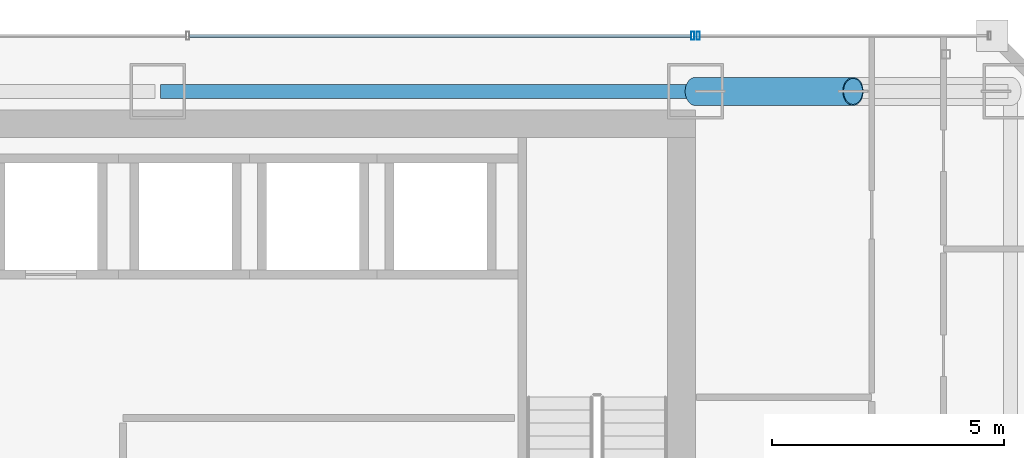
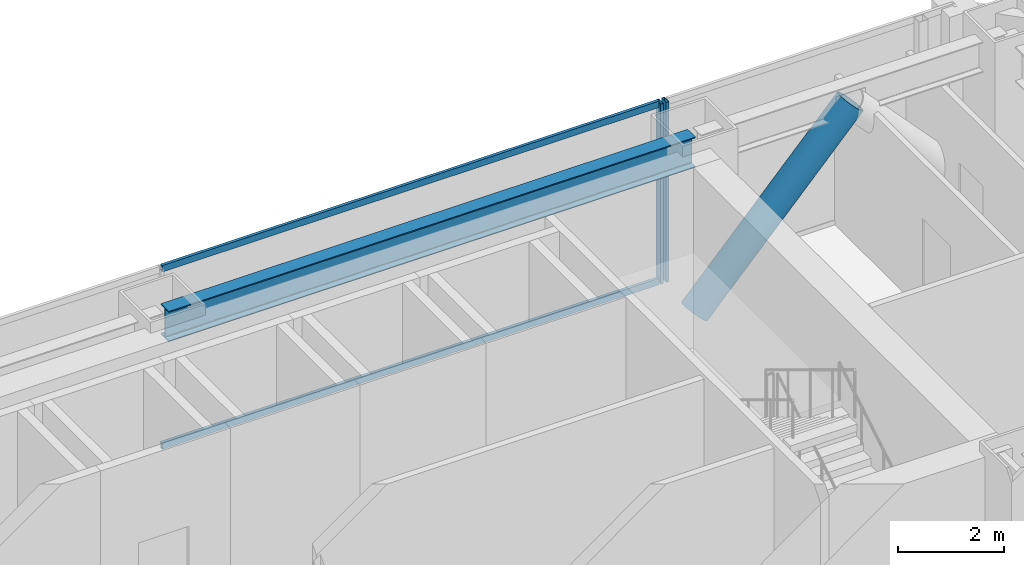
# One storey, part 32 of 47: 5 members, 1 beam, 2 elements without a shape of their own.
"""IFC4 building model written with IfcOpenShell, lengths in metres."""

from ifc_helpers import new_model, si_unit, direction, frame, origin, origin_2d, place, context, subcontext, project, spatial, hollow_rectangle, hollow_circle, i_section, extrude, material, material_profile, profile_set, type_object, element, aggregate, save


model = new_model("IFC4")

# Units and contexts
model_context = context("Model", 3, precision=1e-05, world=origin(), true_north=direction((0.0, 1.0)))
body_context = subcontext(model_context, "Body", "Model", "MODEL_VIEW")
ifc_project = project(units=[si_unit("LENGTHUNIT", "METRE"), si_unit("AREAUNIT", "SQUARE_METRE"), si_unit("VOLUMEUNIT", "CUBIC_METRE"), si_unit("PLANEANGLEUNIT", "RADIAN"), si_unit("MASSUNIT", "GRAM", prefix="KILO")], contexts=[model_context])

# Site, building, storey
site_placement = place(None, origin())
site = spatial("IfcSite", under=ifc_project, at=site_placement, CompositionType="ELEMENT")
building_placement = place(site_placement, origin())
building = spatial("IfcBuilding", under=site, at=building_placement, Name="Saevonmaru Cultural Tower", CompositionType="ELEMENT")
storey_placement = place(building_placement, frame((0.0, 0.0, 47.199951171875)))
storey = spatial("IfcBuildingStorey", under=building, at=storey_placement, Name="L09", CompositionType="ELEMENT", Elevation=47.199951171875)

# Beam
ifc_material_1 = material(Name="Steel SM355", Category="steel")
ifc_material_profile_1 = material_profile(ifc_material_1, i_section(OverallWidth=0.300048828125, OverallDepth=0.699951171875, WebThickness=0.012939453125, FlangeThickness=0.02392578125, FilletRadius=0.02587890625, at=origin_2d()), Name="H-700x300x13x24")
ifc_profile_set_1 = profile_set([ifc_material_profile_1], Name="Steel SM355")
beam_type = type_object("IfcBeamType", Name="BM-SP-H700", PredefinedType="SPANDREL", material=ifc_profile_set_1)
beam_placement = place(storey_placement, frame((34.860107421875, 54.800048828125, 3.800048828125), z_axis=(1.0, 0.0, 0.0), x_axis=(0.0, 1.0, 0.0)))
element("IfcBeam", 1, at=beam_placement, inside=storey, type_object=beam_type, Name="L09 North Spine Girder 4", PredefinedType="SPANDREL", context=body_context, shape_type="SweptSolid", body=[
    extrude(i_section(OverallWidth=0.300048828125, OverallDepth=0.699951171875, WebThickness=0.012939453125, FlangeThickness=0.02392578125, FilletRadius=0.02587890625, at=origin_2d()), origin(), (0.0, 0.0, 1.0), 11.47998046875),
])

# Member
ifc_material_2 = material(Name="Steel HSA600 (600 MPa)", Category="steel")
ifc_material_profile_2 = material_profile(ifc_material_2, hollow_circle(Radius=0.3046875, WallThickness=0.02490234375, at=origin_2d()), Name="CHS-609.6x25")
ifc_profile_set_2 = profile_set([ifc_material_profile_2], Name="Steel HSA600 (600 MPa)")
member_type_1 = type_object("IfcMemberType", Name="MB-PBR-CHS610", PredefinedType="BRACE", material=ifc_profile_set_2)
member_1_placement = place(storey_placement, frame((46.39990234375, 54.800048828125, 0.02001953125), z_axis=(0.681604731977, 0.0, 0.731720567803), x_axis=(0.0, 1.0, 0.0)))
element("IfcMember", 2, at=member_1_placement, inside=storey, type_object=member_type_1, Name="L09 Perimeter Braced-Tube Diagonal EN1", PredefinedType="BRACE", context=body_context, shape_type="SweptSolid", body=[
    extrude(hollow_circle(Radius=0.3046875, WallThickness=0.02490234375, at=origin_2d()), origin(), (0.0, 0.0, 1.0), 4.988525390625),
])

# Curtain wall, member
ifc_material_3 = material(Name="Satin Bronze Anodised Aluminium", Category="aluminium")
curtain_wall_type = type_object("IfcCurtainWallType", Name="CW-TYP-A", PredefinedType="NOTDEFINED", material=ifc_material_3)
curtain_wall_1_placement = place(storey_placement, origin())
curtain_wall_1 = element("IfcCurtainWall", 3, at=curtain_wall_1_placement, inside=storey, type_object=curtain_wall_type, Name="L09 East Braced Bay Spandrel Curtain Wall E10A", PredefinedType="NOTDEFINED")
ifc_material_profile_3 = material_profile(ifc_material_3, hollow_rectangle(XDim=0.06494140625, YDim=0.179931640625, WallThickness=0.00390625, at=origin_2d()), Name="ALU-MULL-180x65x4")
ifc_profile_set_3 = profile_set([ifc_material_profile_3], Name="Satin Bronze Anodised Aluminium")
member_type_2 = type_object("IfcMemberType", Name="ML-CW-180x65", PredefinedType="MULLION", material=ifc_profile_set_3)
member_2_placement = place(storey_placement, frame((46.4599609375, 56.0, 0.0), z_axis=(0.0, 0.0, 1.0), x_axis=(-1.0, 0.0, 0.0)))
member_2 = element("IfcMember", 4, at=member_2_placement, type_object=member_type_2, Name="CW-TW-L09-E10A mullion 2", PredefinedType="MULLION", context=body_context, shape_type="SweptSolid", body=[
    extrude(hollow_rectangle(XDim=0.06494140625, YDim=0.179931640625, WallThickness=0.00390625, at=origin_2d()), origin(), (0.0, 0.0, 1.0), 4.150146484375),
])
aggregate(curtain_wall_1, [member_2])

# Curtain wall, members
curtain_wall_2_placement = place(storey_placement, origin())
curtain_wall_2 = element("IfcCurtainWall", 5, at=curtain_wall_2_placement, inside=storey, type_object=curtain_wall_type, Name="L09 North Spine Unitised Curtain Wall E10B", PredefinedType="NOTDEFINED")
member_3_placement = place(storey_placement, frame((46.340087890625, 56.0, 0.0), z_axis=(0.0, 0.0, 1.0), x_axis=(-1.0, 0.0, 0.0)))
member_3 = element("IfcMember", 6, at=member_3_placement, type_object=member_type_2, Name="CW-TW-L09-E10B mullion 1", PredefinedType="MULLION", context=body_context, shape_type="SweptSolid", body=[
    extrude(hollow_rectangle(XDim=0.06494140625, YDim=0.179931640625, WallThickness=0.00390625, at=origin_2d()), origin(), (0.0, 0.0, 1.0), 4.150146484375),
])
ifc_material_profile_4 = material_profile(ifc_material_3, hollow_rectangle(XDim=0.06494140625, YDim=0.14990234375, WallThickness=0.00390625, at=origin_2d()), Name="ALU-TRAN-150x65x4")
ifc_profile_set_4 = profile_set([ifc_material_profile_4], Name="Satin Bronze Anodised Aluminium")
member_type_3 = type_object("IfcMemberType", Name="TR-CW-150x65", PredefinedType="USERDEFINED", material=ifc_profile_set_4)
member_4_placement = place(storey_placement, frame((46.3076171875, 56.0, 0.032470703125), z_axis=(-1.0, 0.0, 0.0), x_axis=(0.0, -1.0, 0.0)))
member_4 = element("IfcMember", 7, at=member_4_placement, type_object=member_type_3, Name="CW-TW-L09-E10B transom 1.1", ObjectType="TRANSOM", PredefinedType="USERDEFINED", context=body_context, shape_type="SweptSolid", body=[
    extrude(hollow_rectangle(XDim=0.06494140625, YDim=0.14990234375, WallThickness=0.00390625, at=origin_2d()), origin(), (0.0, 0.0, 1.0), 10.828369140625),
])
member_5_placement = place(storey_placement, frame((46.3076171875, 56.0, 4.117431640625), z_axis=(-1.0, 0.0, 0.0), x_axis=(0.0, -1.0, 0.0)))
member_5 = element("IfcMember", 8, at=member_5_placement, type_object=member_type_3, Name="CW-TW-L09-E10B transom 1.2", ObjectType="TRANSOM", PredefinedType="USERDEFINED", context=body_context, shape_type="SweptSolid", body=[
    extrude(hollow_rectangle(XDim=0.06494140625, YDim=0.14990234375, WallThickness=0.00390625, at=origin_2d()), origin(), (0.0, 0.0, 1.0), 10.828369140625),
])
aggregate(curtain_wall_2, [member_3, member_4, member_5])

save(model, "model.ifc")
